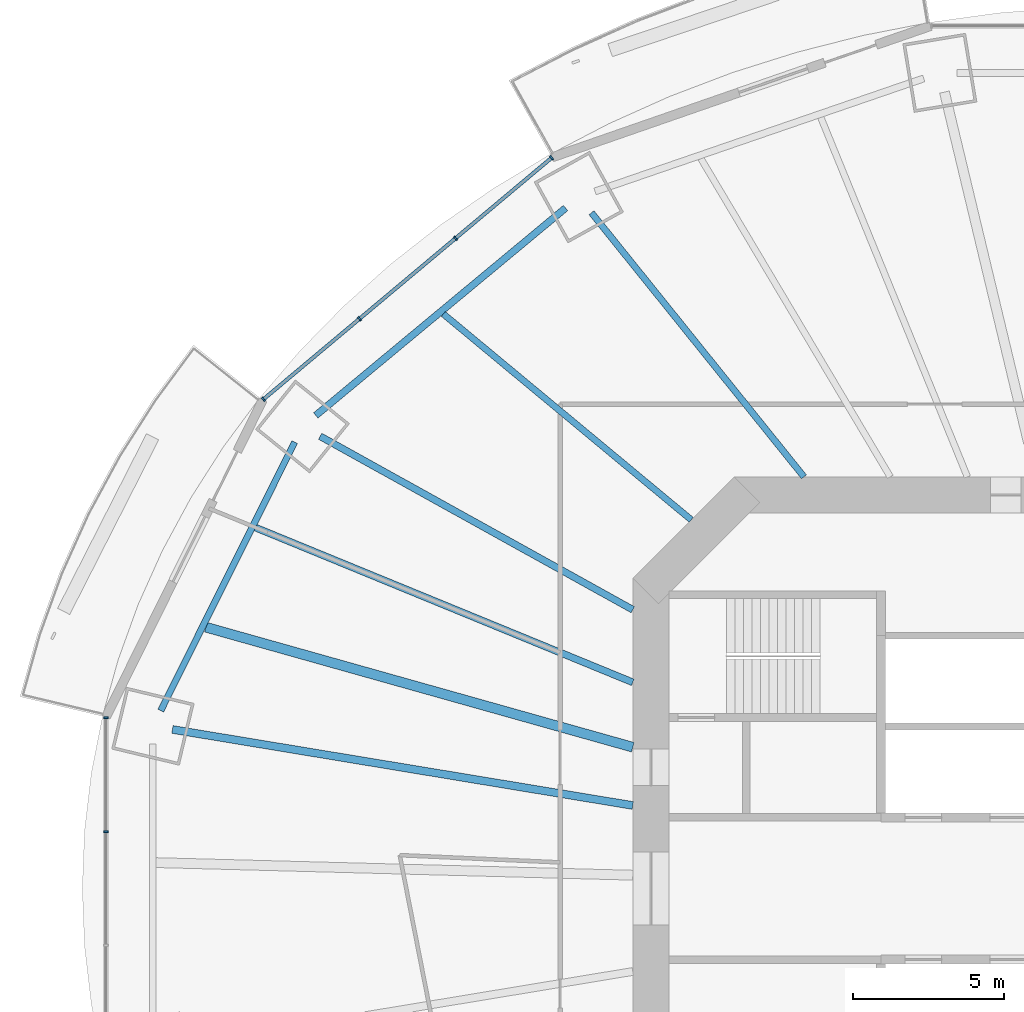
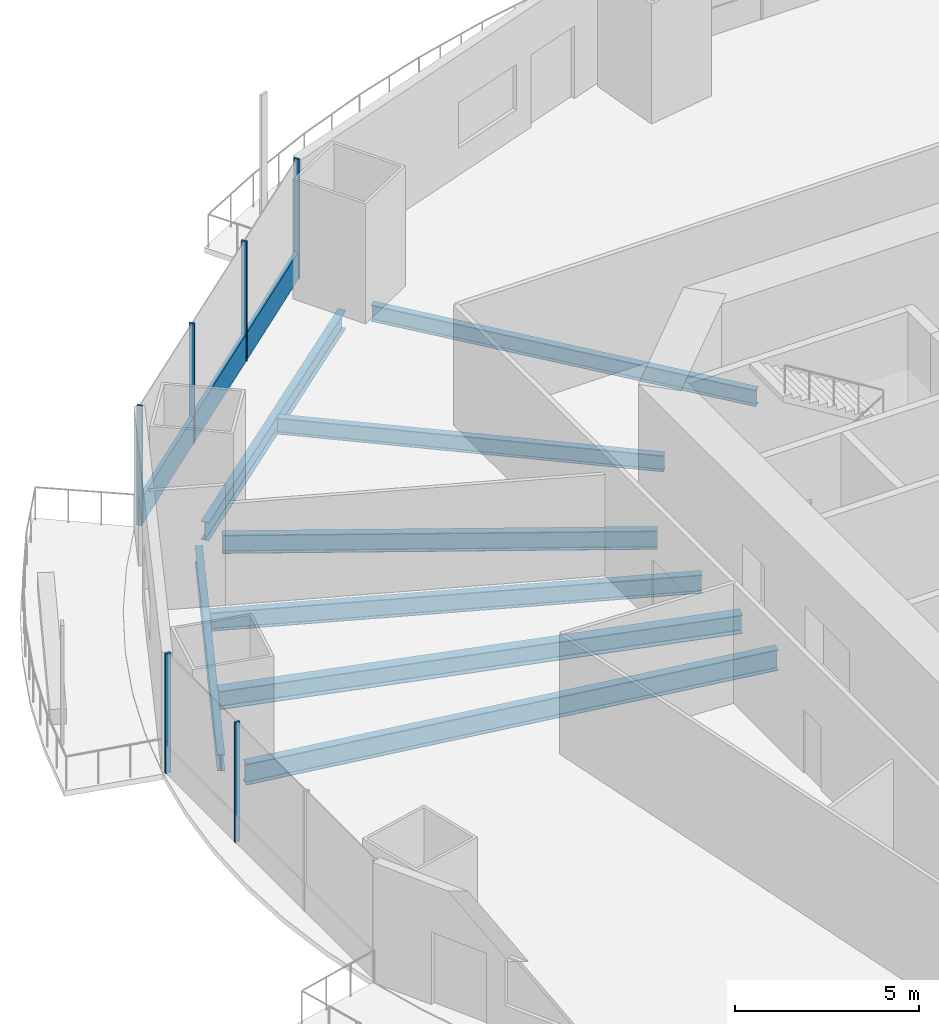
# One storey, part 6 of 22: 8 beams, 7 members, 2 elements without a shape of their own.
"""IFC4 building model written with IfcOpenShell, lengths in metres."""

from ifc_helpers import new_model, si_unit, direction, frame, origin, origin_2d, place, context, subcontext, project, spatial, rectangle, i_section, extrude, material, material_profile, profile_set, type_object, element, aggregate, save


model = new_model("IFC4")

# Units and contexts
model_context = context("Model", 3, precision=1e-05, world=origin(), true_north=direction((0.0, 1.0)))
body_context = subcontext(model_context, "Body", "Model", "MODEL_VIEW")
ifc_project = project(units=[si_unit("LENGTHUNIT", "METRE"), si_unit("AREAUNIT", "SQUARE_METRE"), si_unit("VOLUMEUNIT", "CUBIC_METRE"), si_unit("PLANEANGLEUNIT", "RADIAN"), si_unit("MASSUNIT", "GRAM", prefix="KILO")], contexts=[model_context])

# Site, building, storey
site_placement = place(None, origin())
site = spatial("IfcSite", under=ifc_project, at=site_placement, CompositionType="ELEMENT")
building_placement = place(site_placement, origin())
building = spatial("IfcBuilding", under=site, at=building_placement, Name="Marenthal Gate Tower", CompositionType="ELEMENT")
storey_placement = place(building_placement, frame((0.0, 0.0, 103.550048828125)))
storey = spatial("IfcBuildingStorey", under=building, at=storey_placement, Name="L21", CompositionType="ELEMENT", Elevation=103.550048828125)

# Curtain wall, members
ifc_material_1 = material(Name="Aluminium and glass", Category="aluminium")
curtain_wall_type = type_object("IfcCurtainWallType", Name="Curtain wall typical low", PredefinedType="NOTDEFINED", material=ifc_material_1)
curtain_wall_1_placement = place(storey_placement, origin())
curtain_wall_1 = element("IfcCurtainWall", 1, at=curtain_wall_1_placement, inside=storey, type_object=curtain_wall_type, Name="Curtain wall L21 bay 6", PredefinedType="NOTDEFINED")
ifc_material_2 = material(Name="Aluminium", Category="aluminium")
ifc_material_profile_1 = material_profile(ifc_material_2, rectangle(XDim=0.159912109375, YDim=0.06005859375, at=origin_2d()), Name="60x160 aluminium mullion")
ifc_profile_set_1 = profile_set([ifc_material_profile_1], Name="Aluminium")
member_type_1 = type_object("IfcMemberType", Name="Mullion 60x160 typical low", PredefinedType="MULLION", material=ifc_profile_set_1)
member_1_placement = place(storey_placement, frame((-19.283447265625, 24.137451171875, 0.0), z_axis=(0.0, 0.0, 1.0), x_axis=(0.642307658805, -0.766446913648, 0.0)))
member_1 = element("IfcMember", 2, at=member_1_placement, type_object=member_type_1, Name="Mullion L21 bay 6.1", PredefinedType="MULLION", context=body_context, shape_type="SweptSolid", body=[
    extrude(rectangle(XDim=0.159912109375, YDim=0.06005859375, at=origin_2d()), origin(), (0.0, 0.0, 1.0), 3.969970703125),
])
member_2_placement = place(storey_placement, frame((-22.45654296875, 21.478515625, 0.0), z_axis=(0.0, 0.0, 1.0), x_axis=(0.642307658805, -0.766446913648, 0.0)))
member_2 = element("IfcMember", 3, at=member_2_placement, type_object=member_type_1, Name="Mullion L21 bay 6.2", PredefinedType="MULLION", context=body_context, shape_type="SweptSolid", body=[
    extrude(rectangle(XDim=0.159912109375, YDim=0.06005859375, at=origin_2d()), origin(), (0.0, 0.0, 1.0), 3.969970703125),
])
member_3_placement = place(storey_placement, frame((-25.62939453125, 18.8193359375, 0.0), z_axis=(0.0, 0.0, 1.0), x_axis=(0.642307658805, -0.766446913648, 0.0)))
member_3 = element("IfcMember", 4, at=member_3_placement, type_object=member_type_1, Name="Mullion L21 bay 6.3", PredefinedType="MULLION", context=body_context, shape_type="SweptSolid", body=[
    extrude(rectangle(XDim=0.159912109375, YDim=0.06005859375, at=origin_2d()), origin(), (0.0, 0.0, 1.0), 3.969970703125),
])
member_4_placement = place(storey_placement, frame((-28.802490234375, 16.160400390625, 0.0), z_axis=(0.0, 0.0, 1.0), x_axis=(0.642307658805, -0.766446913648, 0.0)))
member_4 = element("IfcMember", 5, at=member_4_placement, type_object=member_type_1, Name="Mullion L21 bay 6.4", PredefinedType="MULLION", context=body_context, shape_type="SweptSolid", body=[
    extrude(rectangle(XDim=0.159912109375, YDim=0.06005859375, at=origin_2d()), origin(), (0.0, 0.0, 1.0), 3.969970703125),
])

curtain_wall_2_placement = place(storey_placement, origin())
curtain_wall_2 = element("IfcCurtainWall", 6, at=curtain_wall_2_placement, inside=storey, type_object=curtain_wall_type, Name="Curtain wall L21 bay 8", PredefinedType="NOTDEFINED")
member_5_placement = place(storey_placement, frame((-34.001953125, 5.637939453125, 0.0), z_axis=(0.0, 0.0, 1.0), x_axis=(1.0, 0.0, 0.0)))
member_5 = element("IfcMember", 7, at=member_5_placement, type_object=member_type_1, Name="Mullion L21 bay 8.1", PredefinedType="MULLION", context=body_context, shape_type="SweptSolid", body=[
    extrude(rectangle(XDim=0.159912109375, YDim=0.06005859375, at=origin_2d()), origin(), (0.0, 0.0, 1.0), 3.969970703125),
])
member_6_placement = place(storey_placement, frame((-34.001953125, 1.87939453125, 0.0), z_axis=(0.0, 0.0, 1.0), x_axis=(1.0, 0.0, 0.0)))
member_6 = element("IfcMember", 8, at=member_6_placement, type_object=member_type_1, Name="Mullion L21 bay 8.2", PredefinedType="MULLION", context=body_context, shape_type="SweptSolid", body=[
    extrude(rectangle(XDim=0.159912109375, YDim=0.06005859375, at=origin_2d()), origin(), (0.0, 0.0, 1.0), 3.969970703125),
])
aggregate(curtain_wall_2, [member_5, member_6])

# Member
ifc_material_3 = material(Name="Aluminium", Category="aluminium")
ifc_material_profile_2 = material_profile(ifc_material_3, rectangle(XDim=0.1201171875, YDim=0.89990234375, at=origin_2d()), Name="120x900 aluminium transom")
ifc_profile_set_2 = profile_set([ifc_material_profile_2], Name="Aluminium")
member_type_2 = type_object("IfcMemberType", Name="Transom 120x900 typical low", PredefinedType="USERDEFINED", material=ifc_profile_set_2)
member_7_placement = place(storey_placement, frame((-19.306396484375, 24.1181640625, 0.449951171875), z_axis=(-0.766442158037, -0.642313333494, 0.0), x_axis=(0.642313333494, -0.766442158037, 0.0)))
member_7 = element("IfcMember", 9, at=member_7_placement, type_object=member_type_2, Name="Transom L21 bay 6", ObjectType="TRANSOM", PredefinedType="USERDEFINED", context=body_context, shape_type="SweptSolid", body=[
    extrude(rectangle(XDim=0.1201171875, YDim=0.89990234375, at=origin_2d()), origin(), (0.0, 0.0, 1.0), 12.359619140625),
])

aggregate(curtain_wall_1, [member_1, member_2, member_3, member_4, member_7])

# Beams
ifc_material_4 = material(Name="Steel S355", Category="steel")
ifc_material_profile_3 = material_profile(ifc_material_4, i_section(OverallWidth=0.2099609375, OverallDepth=0.535888671875, WebThickness=0.010986328125, FlangeThickness=0.017333984375, FilletRadius=0.0126953125, at=origin_2d()), Name="W530X101")
ifc_profile_set_3 = profile_set([ifc_material_profile_3], Name="Steel S355")
beam_type_1 = type_object("IfcBeamType", Name="W530X101 beam", PredefinedType="BEAM", material=ifc_profile_set_3)
beam_1_placement = place(storey_placement, frame((-22.857666015625, 18.978759765625, -0.447998046875), z_axis=(0.769368830907, -0.63880482311, 0.0), x_axis=(0.63880482311, 0.769368830907, 0.0)))
element("IfcBeam", 10, at=beam_1_placement, inside=storey, type_object=beam_type_1, Name="BM-L21-25", PredefinedType="BEAM", context=body_context, shape_type="SweptSolid", body=[
    extrude(i_section(OverallWidth=0.2099609375, OverallDepth=0.535888671875, WebThickness=0.010986328125, FlangeThickness=0.017333984375, FilletRadius=0.0126953125, at=origin_2d()), origin(), (0.0, 0.0, 1.0), 10.643310546875),
])
ifc_material_5 = material(Name="Steel S355", Category="steel")
ifc_material_profile_4 = material_profile(ifc_material_5, i_section(OverallWidth=0.2119140625, OverallDepth=0.5439453125, WebThickness=0.01318359375, FlangeThickness=0.021240234375, FilletRadius=0.0126953125, at=origin_2d()), Name="W530X123")
ifc_profile_set_4 = profile_set([ifc_material_profile_4], Name="Steel S355")
beam_type_2 = type_object("IfcBeamType", Name="W530X123 beam", PredefinedType="BEAM", material=ifc_profile_set_4)
beam_2_placement = place(storey_placement, frame((-17.964599609375, 22.3232421875, -0.4521484375), z_axis=(0.626952602909, -0.779057400777, 0.0), x_axis=(0.779057400777, 0.626952602909, 0.0)))
element("IfcBeam", 11, at=beam_2_placement, inside=storey, type_object=beam_type_2, Name="BM-L21-06", PredefinedType="BEAM", context=body_context, shape_type="SweptSolid", body=[
    extrude(i_section(OverallWidth=0.2119140625, OverallDepth=0.5439453125, WebThickness=0.01318359375, FlangeThickness=0.021240234375, FilletRadius=0.0126953125, at=origin_2d()), origin(), (0.0, 0.0, 1.0), 11.197021484375),
])
beam_3_placement = place(storey_placement, frame((-27.768310546875, 14.748779296875, -0.4521484375), z_axis=(-0.446405750938, -0.89483065746, 0.0), x_axis=(0.89483065746, -0.446405750938, 0.0)))
element("IfcBeam", 12, at=beam_3_placement, inside=storey, type_object=beam_type_2, Name="BM-L21-47", PredefinedType="BEAM", context=body_context, shape_type="SweptSolid", body=[
    extrude(i_section(OverallWidth=0.2119140625, OverallDepth=0.5439453125, WebThickness=0.01318359375, FlangeThickness=0.021240234375, FilletRadius=0.0126953125, at=origin_2d()), origin(), (0.0, 0.0, 1.0), 9.914794921875),
])
ifc_material_6 = material(Name="Steel S355", Category="steel")
ifc_material_profile_5 = material_profile(ifc_material_6, i_section(OverallWidth=0.22900390625, OverallDepth=0.612060546875, WebThickness=0.011962890625, FlangeThickness=0.01953125, FilletRadius=0.0126953125, at=origin_2d()), Name="W610X125")
ifc_profile_set_5 = profile_set([ifc_material_profile_5], Name="Steel S355")
beam_type_3 = type_object("IfcBeamType", Name="W610X125 beam", PredefinedType="BEAM", material=ifc_profile_set_5)
beam_4_placement = place(storey_placement, frame((-26.928466796875, 14.939697265625, -0.486083984375), z_axis=(0.874435979354, -0.485140925929, 0.0), x_axis=(0.485140925929, 0.874435979354, 0.0)))
element("IfcBeam", 13, at=beam_4_placement, inside=storey, type_object=beam_type_3, Name="BM-L21-07", PredefinedType="BEAM", context=body_context, shape_type="SweptSolid", body=[
    extrude(i_section(OverallWidth=0.22900390625, OverallDepth=0.612060546875, WebThickness=0.011962890625, FlangeThickness=0.01953125, FilletRadius=0.0126953125, at=origin_2d()), origin(), (0.0, 0.0, 1.0), 11.8115234375),
])
beam_5_placement = place(storey_placement, frame((-29.060302734375, 11.921630859375, -0.486083984375), z_axis=(0.925176615925, -0.379536861642, 0.0), x_axis=(0.379536861642, 0.925176615925, 0.0)))
element("IfcBeam", 14, at=beam_5_placement, inside=storey, type_object=beam_type_3, Name="BM-L21-26", PredefinedType="BEAM", context=body_context, shape_type="SweptSolid", body=[
    extrude(i_section(OverallWidth=0.22900390625, OverallDepth=0.612060546875, WebThickness=0.011962890625, FlangeThickness=0.01953125, FilletRadius=0.0126953125, at=origin_2d()), origin(), (0.0, 0.0, 1.0), 13.468017578125),
])
beam_6_placement = place(storey_placement, frame((-18.820068359375, 22.479736328125, -0.486083984375), z_axis=(-0.769369356562, -0.638804190017, 0.0), x_axis=(0.638804190017, -0.769369356562, 0.0)))
element("IfcBeam", 15, at=beam_6_placement, inside=storey, type_object=beam_type_3, Name="BM-L21-46", PredefinedType="BEAM", context=body_context, shape_type="SweptSolid", body=[
    extrude(i_section(OverallWidth=0.22900390625, OverallDepth=0.612060546875, WebThickness=0.011962890625, FlangeThickness=0.01953125, FilletRadius=0.0126953125, at=origin_2d()), origin(), (0.0, 0.0, 1.0), 10.7255859375),
])
ifc_material_7 = material(Name="Steel S355", Category="steel")
ifc_material_profile_6 = material_profile(ifc_material_7, i_section(OverallWidth=0.324951171875, OverallDepth=0.612060546875, WebThickness=0.0126953125, FlangeThickness=0.01904296875, FilletRadius=0.0126953125, at=origin_2d()), Name="W610X155")
ifc_profile_set_6 = profile_set([ifc_material_profile_6], Name="Steel S355")
beam_type_4 = type_object("IfcBeamType", Name="W610X155 beam", PredefinedType="BEAM", material=ifc_profile_set_6)
beam_7_placement = place(storey_placement, frame((-30.701416015625, 8.631591796875, -0.486083984375), z_axis=(0.962675778396, -0.270657247621, 0.0), x_axis=(0.270657247621, 0.962675778396, 0.0)))
element("IfcBeam", 16, at=beam_7_placement, inside=storey, type_object=beam_type_4, Name="BM-L21-27", PredefinedType="BEAM", context=body_context, shape_type="SweptSolid", body=[
    extrude(i_section(OverallWidth=0.324951171875, OverallDepth=0.612060546875, WebThickness=0.0126953125, FlangeThickness=0.01904296875, FilletRadius=0.0126953125, at=origin_2d()), origin(), (0.0, 0.0, 1.0), 14.64794921875),
])
ifc_material_8 = material(Name="Steel S355", Category="steel")
ifc_material_profile_7 = material_profile(ifc_material_8, i_section(OverallWidth=0.257080078125, OverallDepth=0.693115234375, WebThickness=0.014404296875, FlangeThickness=0.023681640625, FilletRadius=0.015380859375, at=origin_2d()), Name="W690X170")
ifc_profile_set_7 = profile_set([ifc_material_profile_7], Name="Steel S355")
beam_type_5 = type_object("IfcBeamType", Name="W690X170 beam", PredefinedType="BEAM", material=ifc_profile_set_7)
beam_8_placement = place(storey_placement, frame((-31.80810546875, 5.25341796875, -0.526611328125), z_axis=(0.986634295721, -0.162950196404, 0.0), x_axis=(0.162950196404, 0.986634295721, 0.0)))
element("IfcBeam", 17, at=beam_8_placement, inside=storey, type_object=beam_type_5, Name="BM-L21-08", PredefinedType="BEAM", context=body_context, shape_type="SweptSolid", body=[
    extrude(i_section(OverallWidth=0.257080078125, OverallDepth=0.693115234375, WebThickness=0.014404296875, FlangeThickness=0.023681640625, FilletRadius=0.015380859375, at=origin_2d()), origin(), (0.0, 0.0, 1.0), 15.4140625),
])

save(model, "model.ifc")
